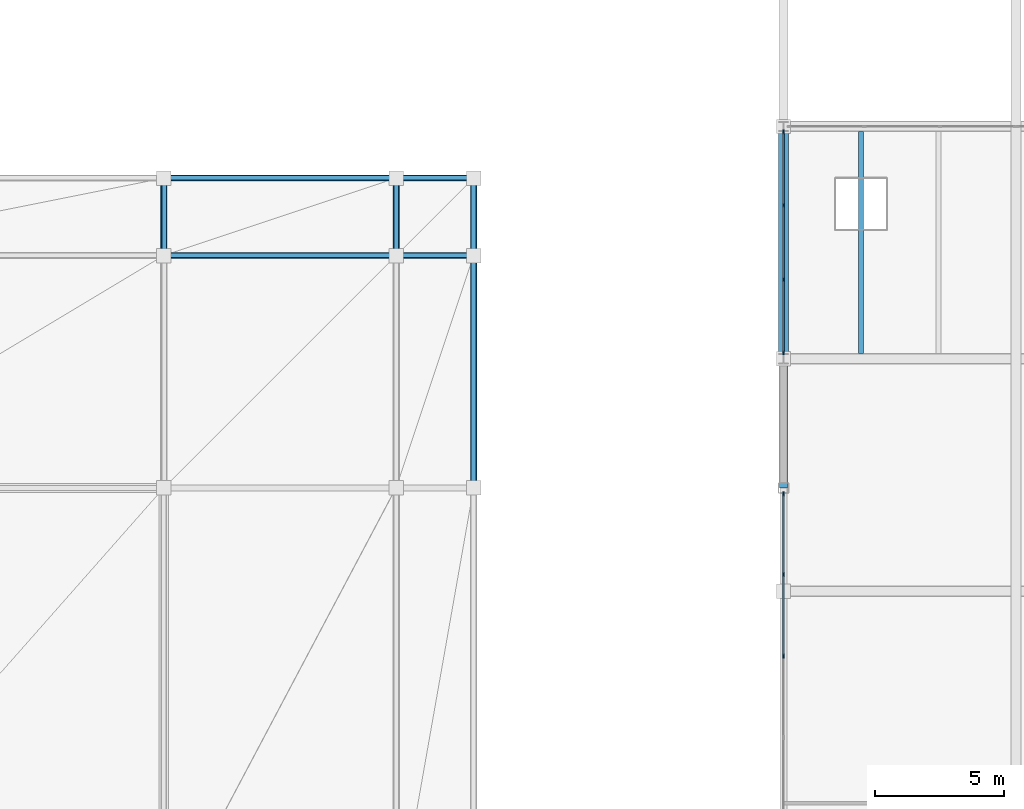
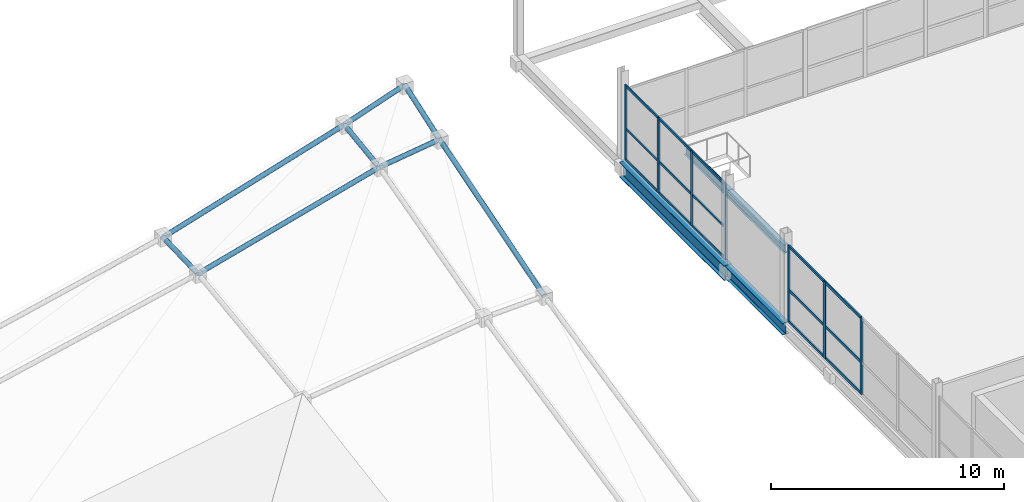
# One storey, part 29 of 69: 30 members, 3 beams, 2 elements without a shape of their own.
"""IFC4 building model written with IfcOpenShell, lengths in metres."""

import ifcopenshell
import ifcopenshell.guid

model = None  # the IFC model being written
_history = None  # IfcOwnerHistory: only IFC2X3 demands one
_inside = {}  # id of a spatial element -> (the spatial element, [elements in it])
_under = {}  # id of a project, library or spatial element -> (it, [spatial elements below it])
_declared = {}  # id of a project -> (the project, [libraries it declares])
_typed = {}  # id of a type object -> (the type object, [elements of that type])
_made_of = {}  # id of a material, layer set ... -> (it, [elements and type objects made of it])


def new_model(schema):
    """Start an empty IFC model of exactly this schema.

    Asked for "IFC4X3", IfcOpenShell would pick the latest addendum, in which some entities
    have other attributes; the version numbers below select the first issue.
    IFC2X3 requires an IfcOwnerHistory on every rooted entity: one is made here for all.
    """
    global model, _history
    if schema == "IFC4X3":
        model = ifcopenshell.file(schema_version=(4, 3, 0, 0))
    else:
        model = ifcopenshell.file(schema=schema)
    _inside.clear()
    _under.clear()
    _declared.clear()
    _typed.clear()
    _made_of.clear()
    _history = None
    if model.schema == "IFC2X3":
        org = make("IfcOrganization", Name="unknown")
        user = make(
            "IfcPersonAndOrganization",
            ThePerson=make("IfcPerson", FamilyName="unknown"),
            TheOrganization=org,
        )
        app = make(
            "IfcApplication",
            ApplicationDeveloper=org,
            Version="unknown",
            ApplicationFullName="unknown",
            ApplicationIdentifier="unknown",
        )
        _history = make(
            "IfcOwnerHistory",
            OwningUser=user,
            OwningApplication=app,
            ChangeAction="ADDED",
            CreationDate=0,
        )
    return model


def make(cls, **values):
    """One entity of the class cls with the attributes given. An attribute that is None is left unset."""
    return model.create_entity(
        cls, **{name: value for name, value in values.items() if value is not None}
    )


def rooted(cls, **values):
    """An entity with a GlobalId (a new one), such as an element, a storey or a relation."""
    return make(cls, GlobalId=ifcopenshell.guid.new(), OwnerHistory=_history, **values)


def si_unit(unit_type, name, prefix=None):
    """IfcSIUnit, for example si_unit("LENGTHUNIT", "METRE", prefix="MILLI")."""
    return make("IfcSIUnit", UnitType=unit_type, Prefix=prefix, Name=name)


def assignment(units):
    """IfcUnitAssignment: the units of a project."""
    return None if units is None else make("IfcUnitAssignment", Units=units)


def point(xyz):
    """IfcCartesianPoint."""
    return None if xyz is None else make("IfcCartesianPoint", Coordinates=xyz)


def direction(xyz):
    """IfcDirection."""
    return None if xyz is None else make("IfcDirection", DirectionRatios=xyz)


def frame(location, z_axis=None, x_axis=None):
    """IfcAxis2Placement3D, a coordinate frame: its origin and axes. An axis left out is left unset."""
    return make(
        "IfcAxis2Placement3D",
        Location=point(location),
        Axis=direction(z_axis),
        RefDirection=direction(x_axis),
    )


def frame_2d(location, x_axis=None):
    """IfcAxis2Placement2D, a coordinate frame in the plane: its origin and x axis."""
    return make(
        "IfcAxis2Placement2D", Location=point(location), RefDirection=direction(x_axis)
    )


def origin():
    """The frame at (0, 0, 0) with its axes left unset."""
    return frame((0.0, 0.0, 0.0))


def origin_2d():
    """The frame at (0, 0) in the plane with its x axis left unset."""
    return frame_2d((0.0, 0.0))


def place(relative_to, where):
    """IfcLocalPlacement: puts the frame where relative to a parent placement (None: the world)."""
    return make(
        "IfcLocalPlacement", PlacementRelTo=relative_to, RelativePlacement=where
    )


def context(
    kind, dimensions, precision=None, world=None, true_north=None, identifier=None
):
    """IfcGeometricRepresentationContext, for example the 3D "Model" context."""
    return make(
        "IfcGeometricRepresentationContext",
        ContextIdentifier=identifier,
        ContextType=kind,
        CoordinateSpaceDimension=dimensions,
        Precision=precision,
        WorldCoordinateSystem=world,
        TrueNorth=true_north,
    )


def subcontext(parent, identifier, kind, view, scale=None):
    """IfcGeometricRepresentationSubContext, for example "Body" below "Model"."""
    return make(
        "IfcGeometricRepresentationSubContext",
        ContextIdentifier=identifier,
        ContextType=kind,
        ParentContext=parent,
        TargetScale=scale,
        TargetView=view,
    )


def project(units=None, contexts=None):
    """IfcProject with its units and contexts."""
    return rooted(
        "IfcProject",
        Name="project",
        RepresentationContexts=contexts,
        UnitsInContext=assignment(units),
    )


def spatial(cls, under=None, at=None, **own):
    """A site, building, storey or space (cls), placed at a placement, below another one or the project."""
    s = rooted(cls, ObjectPlacement=at, **own)
    if under is not None:
        _under.setdefault(under.id(), (under, []))[1].append(s)
    return s


def profile(cls, at=None, kind="AREA", **sizes):
    """A parametric profile (cls). Its sizes go by their IFC names, for example OverallWidth=200.0."""
    return make(cls, ProfileType=kind, Position=at, **sizes)


def rectangle(**sizes):
    """IfcRectangleProfileDef."""
    return profile("IfcRectangleProfileDef", **sizes)


def hollow_circle(**sizes):
    """IfcCircleHollowProfileDef."""
    return profile("IfcCircleHollowProfileDef", **sizes)


def i_section(**sizes):
    """IfcIShapeProfileDef."""
    return profile("IfcIShapeProfileDef", **sizes)


def extrude(swept, where, along, depth):
    """IfcExtrudedAreaSolid: the profile swept, set in the frame where, extruded along a direction by depth."""
    return make(
        "IfcExtrudedAreaSolid",
        SweptArea=swept,
        Position=where,
        ExtrudedDirection=direction(along),
        Depth=depth,
    )


def shape(context_of_items, identifier, shape_type, items):
    """IfcShapeRepresentation: the items that make up one representation, for example the "Body"."""
    return make(
        "IfcShapeRepresentation",
        ContextOfItems=context_of_items,
        RepresentationIdentifier=identifier,
        RepresentationType=shape_type,
        Items=items,
    )


def material(Name=None, Category=None):
    """IfcMaterial."""
    return make("IfcMaterial", Name=Name, Category=Category)


def layer(
    of_material, thickness, ventilated=None, Name=None, Category=None, Priority=None
):
    """IfcMaterialLayer: one layer of a wall or slab, of a material (None: an air gap)."""
    return make(
        "IfcMaterialLayer",
        Material=of_material,
        LayerThickness=thickness,
        IsVentilated=ventilated,
        Name=Name,
        Category=Category,
        Priority=Priority,
    )


def layer_set(layers, Name=None):
    """IfcMaterialLayerSet."""
    return make("IfcMaterialLayerSet", MaterialLayers=layers, LayerSetName=Name)


def material_profile(
    of_material, cross_section, Name=None, Category=None, Priority=None
):
    """IfcMaterialProfile: a cross section and its material."""
    return make(
        "IfcMaterialProfile",
        Name=Name,
        Material=of_material,
        Profile=cross_section,
        Priority=Priority,
        Category=Category,
    )


def profile_set(profiles, Name=None, composite=None):
    """IfcMaterialProfileSet."""
    return make(
        "IfcMaterialProfileSet",
        Name=Name,
        MaterialProfiles=profiles,
        CompositeProfile=composite,
    )


def made_of(thing, what):
    """Note that an element or type object is made of a material, layer set ...; save() writes the relation."""
    if what is not None:
        _made_of.setdefault(what.id(), (what, []))[1].append(thing)
    return thing


def type_object(cls, material=None, **own):
    """A type object (cls), such as IfcWallType, which elements share."""
    return made_of(rooted(cls, **own), material)


def element(
    cls,
    number,
    at=None,
    inside=None,
    cuts=None,
    type_object=None,
    material=None,
    context=None,
    identifier="Body",
    shape_type=None,
    held_by="IfcProductDefinitionShape",
    body=None,
    shapes=None,
    **own,
):
    """One element of the class cls, such as IfcWall. Its Tag is "e" and its number.

    at: its placement. inside: the storey or other place that contains it. cuts: it is an
    opening in that element (IfcRelVoidsElement). A single representation is given by context,
    identifier, shape_type and body (its items); several are given by shapes. held_by: the class
    of the entity that holds the representations. save() writes the other relations.
    """
    e = rooted(cls, Tag="e%d" % number, ObjectPlacement=at, **own)
    if body is not None:
        shapes = [shape(context, identifier, shape_type, body)]
    if shapes is not None:
        e.Representation = make(held_by, Representations=shapes)
    if inside is not None:
        _inside.setdefault(inside.id(), (inside, []))[1].append(e)
    if cuts is not None:
        rooted(
            "IfcRelVoidsElement", RelatingBuildingElement=cuts, RelatedOpeningElement=e
        )
    if type_object is not None:
        _typed.setdefault(type_object.id(), (type_object, []))[1].append(e)
    return made_of(e, material)


def aggregate(whole, parts):
    """IfcRelAggregates: a whole, such as a stair, and the parts it consists of."""
    return rooted("IfcRelAggregates", RelatingObject=whole, RelatedObjects=parts)


def save(model, path):
    """Write the relations noted so far, then the file.

    IfcRelAggregates (storeys below a building ...), IfcRelContainedInSpatialStructure (elements
    in a storey), IfcRelDefinesByType, IfcRelAssociatesMaterial and IfcRelDeclares: one each for
    every whole, place, type object, material and project.
    """
    for whole, parts in _under.values():
        aggregate(whole, parts)
    for where, things in _inside.values():
        rooted(
            "IfcRelContainedInSpatialStructure",
            RelatedElements=things,
            RelatingStructure=where,
        )
    for kind, things in _typed.values():
        rooted("IfcRelDefinesByType", RelatedObjects=things, RelatingType=kind)
    for what, things in _made_of.values():
        rooted("IfcRelAssociatesMaterial", RelatedObjects=things, RelatingMaterial=what)
    for by, libraries in _declared.values():
        rooted("IfcRelDeclares", RelatingContext=by, RelatedDefinitions=libraries)
    model.write(path)


model = new_model("IFC4")

# Units and contexts
model_context = context("Model", 3, precision=1e-05, world=origin(), true_north=direction((0.0, 1.0)))
body_context = subcontext(model_context, "Body", "Model", "MODEL_VIEW")
ifc_project = project(units=[si_unit("LENGTHUNIT", "METRE"), si_unit("AREAUNIT", "SQUARE_METRE"), si_unit("VOLUMEUNIT", "CUBIC_METRE"), si_unit("PLANEANGLEUNIT", "RADIAN"), si_unit("MASSUNIT", "GRAM", prefix="KILO")], contexts=[model_context])

# Site, building, storey
site_placement = place(None, origin())
site = spatial("IfcSite", under=ifc_project, at=site_placement, CompositionType="ELEMENT")
building_placement = place(site_placement, origin())
building = spatial("IfcBuilding", under=site, at=building_placement, Name="Qamarlyn Nura Convention Centre", CompositionType="ELEMENT")
storey_placement = place(building_placement, frame((0.0, 0.0, 15.60009765625)))
storey = spatial("IfcBuildingStorey", under=building, at=storey_placement, Name="L03", CompositionType="ELEMENT", Elevation=15.60009765625)

# Beams
ifc_material_1 = material(Name="Steel ASTM A992", Category="steel")
ifc_material_profile_1 = material_profile(ifc_material_1, i_section(OverallWidth=0.323974609375, OverallDepth=0.611083984375, WebThickness=0.0126953125, FlangeThickness=0.01904296875, FilletRadius=0.01611328125, at=origin_2d()), Name="W610X155")
ifc_profile_set_1 = profile_set([ifc_material_profile_1], Name="Steel ASTM A992")
beam_type_1 = type_object("IfcBeamType", Name="BM-GIRD-610", PredefinedType="BEAM", material=ifc_profile_set_1)
beam_1_placement = place(storey_placement, frame((144.0, 103.0, -0.505615234375), z_axis=(0.0, 1.0, 0.0), x_axis=(-1.0, 0.0, 0.0)))
element("IfcBeam", 1, at=beam_1_placement, inside=storey, type_object=beam_type_1, Name="L03 girder 12 M-N", PredefinedType="BEAM", context=body_context, shape_type="SweptSolid", body=[
    extrude(i_section(OverallWidth=0.323974609375, OverallDepth=0.611083984375, WebThickness=0.0126953125, FlangeThickness=0.01904296875, FilletRadius=0.01611328125, at=origin_2d()), origin(), (0.0, 0.0, 1.0), 5.0),
])
ifc_material_profile_2 = material_profile(ifc_material_1, i_section(OverallWidth=0.381103515625, OverallDepth=0.77294921875, WebThickness=0.0166015625, FlangeThickness=0.027587890625, FilletRadius=0.02001953125, at=origin_2d()), Name="W760X257")
ifc_profile_set_2 = profile_set([ifc_material_profile_2], Name="Steel ASTM A992")
beam_type_2 = type_object("IfcBeamType", Name="BM-GIRD-760", PredefinedType="BEAM", material=ifc_profile_set_2)
beam_2_placement = place(storey_placement, frame((144.0, 108.0, -0.586669921875), z_axis=(0.0, 1.0, 0.0), x_axis=(-1.0, 0.0, 0.0)))
element("IfcBeam", 2, at=beam_2_placement, inside=storey, type_object=beam_type_2, Name="L03 girder 12 N-P", PredefinedType="BEAM", context=body_context, shape_type="SweptSolid", body=[
    extrude(i_section(OverallWidth=0.381103515625, OverallDepth=0.77294921875, WebThickness=0.0166015625, FlangeThickness=0.027587890625, FilletRadius=0.02001953125, at=origin_2d()), origin(), (0.0, 0.0, 1.0), 9.0),
])
ifc_material_profile_3 = material_profile(ifc_material_1, i_section(OverallWidth=0.18994140625, OverallDepth=0.45703125, WebThickness=0.009033203125, FlangeThickness=0.014404296875, FilletRadius=0.012939453125, at=origin_2d()), Name="W460X74")
ifc_profile_set_3 = profile_set([ifc_material_profile_3], Name="Steel ASTM A992")
beam_type_3 = type_object("IfcBeamType", Name="BM-JOIST-460", PredefinedType="JOIST", material=ifc_profile_set_3)
beam_3_placement = place(storey_placement, frame((147.0, 108.199951171875, -0.528564453125), z_axis=(0.0, 1.0, 0.0), x_axis=(-1.0, 0.0, 0.0)))
element("IfcBeam", 3, at=beam_3_placement, inside=storey, type_object=beam_type_3, Name="L03 secondary joist 12-13/N-P-02", PredefinedType="JOIST", context=body_context, shape_type="SweptSolid", body=[
    extrude(i_section(OverallWidth=0.18994140625, OverallDepth=0.45703125, WebThickness=0.009033203125, FlangeThickness=0.014404296875, FilletRadius=0.012939453125, at=origin_2d()), origin(), (0.0, 0.0, 1.0), 8.60009765625),
])

# Curtain wall, members
ifc_material_2 = material(Name="Double-silver low-E insulated glass", Category="glass")
ifc_layer_1 = layer(ifc_material_2, 0.179931640625, Name="CW-UNIT-129")
ifc_layer_set_1 = layer_set([ifc_layer_1], Name="Double-silver low-E insulated glass")
curtain_wall_type_1 = type_object("IfcCurtainWallType", Name="CW-UNIT-129", PredefinedType="NOTDEFINED", material=ifc_layer_set_1)
curtain_wall_1_placement = place(storey_placement, origin())
curtain_wall_1 = element("IfcCurtainWall", 4, at=curtain_wall_1_placement, inside=storey, type_object=curtain_wall_type_1, Name="L03 unitised curtain wall PLW-108-1", PredefinedType="NOTDEFINED")
ifc_material_3 = material(Name="Champagne-anodised marine aluminium", Category="aluminium")
ifc_material_profile_4 = material_profile(ifc_material_3, rectangle(XDim=0.06494140625, YDim=0.159912109375, at=origin_2d()), Name="ALU MULLION 65x160")
ifc_profile_set_4 = profile_set([ifc_material_profile_4], Name="Champagne-anodised marine aluminium")
member_type_1 = type_object("IfcMemberType", Name="CWM-160", PredefinedType="MULLION", material=ifc_profile_set_4)
member_1_placement = place(storey_placement, frame((144.0, 108.22900390625, 0.0), z_axis=(0.0, 0.0, 1.0), x_axis=(-1.0, 0.0, 0.0)))
member_1 = element("IfcMember", 5, at=member_1_placement, type_object=member_type_1, Name="CW129 mullion 1", PredefinedType="MULLION", context=body_context, shape_type="SweptSolid", body=[
    extrude(rectangle(XDim=0.06494140625, YDim=0.159912109375, at=origin_2d()), origin(), (0.0, 0.0, 1.0), 3.929931640625),
])
member_2_placement = place(storey_placement, frame((144.0, 111.069091796875, 0.0), z_axis=(0.0, 0.0, 1.0), x_axis=(-1.0, 0.0, 0.0)))
member_2 = element("IfcMember", 6, at=member_2_placement, type_object=member_type_1, Name="CW129 mullion 2", PredefinedType="MULLION", context=body_context, shape_type="SweptSolid", body=[
    extrude(rectangle(XDim=0.06494140625, YDim=0.159912109375, at=origin_2d()), origin(), (0.0, 0.0, 1.0), 3.929931640625),
])
member_3_placement = place(storey_placement, frame((144.0, 113.94140625, 0.0), z_axis=(0.0, 0.0, 1.0), x_axis=(-1.0, 0.0, 0.0)))
member_3 = element("IfcMember", 7, at=member_3_placement, type_object=member_type_1, Name="CW129 mullion 3", PredefinedType="MULLION", context=body_context, shape_type="SweptSolid", body=[
    extrude(rectangle(XDim=0.06494140625, YDim=0.159912109375, at=origin_2d()), origin(), (0.0, 0.0, 1.0), 3.929931640625),
])
member_4_placement = place(storey_placement, frame((144.0, 116.781494140625, 0.0), z_axis=(0.0, 0.0, 1.0), x_axis=(-1.0, 0.0, 0.0)))
member_4 = element("IfcMember", 8, at=member_4_placement, type_object=member_type_1, Name="CW129 mullion 4", PredefinedType="MULLION", context=body_context, shape_type="SweptSolid", body=[
    extrude(rectangle(XDim=0.06494140625, YDim=0.159912109375, at=origin_2d()), origin(), (0.0, 0.0, 1.0), 3.929931640625),
])

ifc_layer_2 = layer(ifc_material_2, 0.179931640625, Name="CW-UNIT-128")
ifc_layer_set_2 = layer_set([ifc_layer_2], Name="Double-silver low-E insulated glass")
curtain_wall_type_2 = type_object("IfcCurtainWallType", Name="CW-UNIT-128", PredefinedType="NOTDEFINED", material=ifc_layer_set_2)
curtain_wall_2_placement = place(storey_placement, origin())
curtain_wall_2 = element("IfcCurtainWall", 9, at=curtain_wall_2_placement, inside=storey, type_object=curtain_wall_type_2, Name="L03 unitised curtain wall PLW-90-1", PredefinedType="NOTDEFINED")
ifc_material_profile_5 = material_profile(ifc_material_3, rectangle(XDim=0.070068359375, YDim=0.179931640625, at=origin_2d()), Name="ALU MULLION 70x180")
ifc_profile_set_5 = profile_set([ifc_material_profile_5], Name="Champagne-anodised marine aluminium")
member_type_2 = type_object("IfcMemberType", Name="CWM-180", PredefinedType="MULLION", material=ifc_profile_set_5)
member_5_placement = place(storey_placement, frame((144.0, 96.487548828125, 0.0), z_axis=(0.0, 0.0, 1.0), x_axis=(-1.0, 0.0, 0.0)))
member_5 = element("IfcMember", 10, at=member_5_placement, type_object=member_type_2, Name="CW128 mullion 3", PredefinedType="MULLION", context=body_context, shape_type="SweptSolid", body=[
    extrude(rectangle(XDim=0.070068359375, YDim=0.179931640625, at=origin_2d()), origin(), (0.0, 0.0, 1.0), 4.0087890625),
])
member_6_placement = place(storey_placement, frame((144.0, 99.643798828125, 0.0), z_axis=(0.0, 0.0, 1.0), x_axis=(-1.0, 0.0, 0.0)))
member_6 = element("IfcMember", 11, at=member_6_placement, type_object=member_type_2, Name="CW128 mullion 4", PredefinedType="MULLION", context=body_context, shape_type="SweptSolid", body=[
    extrude(rectangle(XDim=0.070068359375, YDim=0.179931640625, at=origin_2d()), origin(), (0.0, 0.0, 1.0), 4.0087890625),
])
member_7_placement = place(storey_placement, frame((144.0, 102.764892578125, 0.0), z_axis=(0.0, 0.0, 1.0), x_axis=(-1.0, 0.0, 0.0)))
member_7 = element("IfcMember", 12, at=member_7_placement, type_object=member_type_2, Name="CW128 mullion 5", PredefinedType="MULLION", context=body_context, shape_type="SweptSolid", body=[
    extrude(rectangle(XDim=0.070068359375, YDim=0.179931640625, at=origin_2d()), origin(), (0.0, 0.0, 1.0), 4.0087890625),
])

# Member
ifc_material_profile_6 = material_profile(ifc_material_3, rectangle(XDim=0.06494140625, YDim=0.1201171875, at=origin_2d()), Name="ALU TRANSOM 65x120")
ifc_profile_set_6 = profile_set([ifc_material_profile_6], Name="Champagne-anodised marine aluminium")
member_type_3 = type_object("IfcMemberType", Name="CWT-120", PredefinedType="USERDEFINED", material=ifc_profile_set_6)
member_8_placement = place(storey_placement, frame((144.0, 108.261474609375, 0.032470703125), z_axis=(0.0, 1.0, 0.0), x_axis=(-1.0, 0.0, 0.0)))
member_8 = element("IfcMember", 13, at=member_8_placement, type_object=member_type_3, Name="CW129 transom 1.1", ObjectType="TRANSOM", PredefinedType="USERDEFINED", context=body_context, shape_type="SweptSolid", body=[
    extrude(rectangle(XDim=0.06494140625, YDim=0.1201171875, at=origin_2d()), origin(), (0.0, 0.0, 1.0), 2.775146484375),
])

member_9_placement = place(storey_placement, frame((144.0, 108.261474609375, 1.65087890625), z_axis=(0.0, 1.0, 0.0), x_axis=(-1.0, 0.0, 0.0)))
member_9 = element("IfcMember", 14, at=member_9_placement, type_object=member_type_3, Name="CW129 transom 1.2", ObjectType="TRANSOM", PredefinedType="USERDEFINED", context=body_context, shape_type="SweptSolid", body=[
    extrude(rectangle(XDim=0.06494140625, YDim=0.1201171875, at=origin_2d()), origin(), (0.0, 0.0, 1.0), 2.775146484375),
])

member_10_placement = place(storey_placement, frame((144.0, 108.261474609375, 3.8974609375), z_axis=(0.0, 1.0, 0.0), x_axis=(-1.0, 0.0, 0.0)))
member_10 = element("IfcMember", 15, at=member_10_placement, type_object=member_type_3, Name="CW129 transom 1.3", ObjectType="TRANSOM", PredefinedType="USERDEFINED", context=body_context, shape_type="SweptSolid", body=[
    extrude(rectangle(XDim=0.06494140625, YDim=0.1201171875, at=origin_2d()), origin(), (0.0, 0.0, 1.0), 2.775146484375),
])

member_11_placement = place(storey_placement, frame((144.0, 111.1015625, 0.032470703125), z_axis=(0.0, 1.0, 0.0), x_axis=(-1.0, 0.0, 0.0)))
member_11 = element("IfcMember", 16, at=member_11_placement, type_object=member_type_3, Name="CW129 transom 2.1", ObjectType="TRANSOM", PredefinedType="USERDEFINED", context=body_context, shape_type="SweptSolid", body=[
    extrude(rectangle(XDim=0.06494140625, YDim=0.1201171875, at=origin_2d()), origin(), (0.0, 0.0, 1.0), 2.807373046875),
])

member_12_placement = place(storey_placement, frame((144.0, 111.1015625, 1.65087890625), z_axis=(0.0, 1.0, 0.0), x_axis=(-1.0, 0.0, 0.0)))
member_12 = element("IfcMember", 17, at=member_12_placement, type_object=member_type_3, Name="CW129 transom 2.2", ObjectType="TRANSOM", PredefinedType="USERDEFINED", context=body_context, shape_type="SweptSolid", body=[
    extrude(rectangle(XDim=0.06494140625, YDim=0.1201171875, at=origin_2d()), origin(), (0.0, 0.0, 1.0), 2.807373046875),
])

member_13_placement = place(storey_placement, frame((144.0, 111.1015625, 3.8974609375), z_axis=(0.0, 1.0, 0.0), x_axis=(-1.0, 0.0, 0.0)))
member_13 = element("IfcMember", 18, at=member_13_placement, type_object=member_type_3, Name="CW129 transom 2.3", ObjectType="TRANSOM", PredefinedType="USERDEFINED", context=body_context, shape_type="SweptSolid", body=[
    extrude(rectangle(XDim=0.06494140625, YDim=0.1201171875, at=origin_2d()), origin(), (0.0, 0.0, 1.0), 2.807373046875),
])

member_14_placement = place(storey_placement, frame((144.0, 113.97412109375, 0.032470703125), z_axis=(0.0, 1.0, 0.0), x_axis=(-1.0, 0.0, 0.0)))
member_14 = element("IfcMember", 19, at=member_14_placement, type_object=member_type_3, Name="CW129 transom 3.1", ObjectType="TRANSOM", PredefinedType="USERDEFINED", context=body_context, shape_type="SweptSolid", body=[
    extrude(rectangle(XDim=0.06494140625, YDim=0.1201171875, at=origin_2d()), origin(), (0.0, 0.0, 1.0), 2.77490234375),
])

member_15_placement = place(storey_placement, frame((144.0, 113.97412109375, 1.65087890625), z_axis=(0.0, 1.0, 0.0), x_axis=(-1.0, 0.0, 0.0)))
member_15 = element("IfcMember", 20, at=member_15_placement, type_object=member_type_3, Name="CW129 transom 3.2", ObjectType="TRANSOM", PredefinedType="USERDEFINED", context=body_context, shape_type="SweptSolid", body=[
    extrude(rectangle(XDim=0.06494140625, YDim=0.1201171875, at=origin_2d()), origin(), (0.0, 0.0, 1.0), 2.77490234375),
])

member_16_placement = place(storey_placement, frame((144.0, 113.97412109375, 3.8974609375), z_axis=(0.0, 1.0, 0.0), x_axis=(-1.0, 0.0, 0.0)))
member_16 = element("IfcMember", 21, at=member_16_placement, type_object=member_type_3, Name="CW129 transom 3.3", ObjectType="TRANSOM", PredefinedType="USERDEFINED", context=body_context, shape_type="SweptSolid", body=[
    extrude(rectangle(XDim=0.06494140625, YDim=0.1201171875, at=origin_2d()), origin(), (0.0, 0.0, 1.0), 2.77490234375),
])

aggregate(curtain_wall_1, [member_1, member_2, member_3, member_4, member_8, member_9, member_10, member_11, member_12, member_13, member_14, member_15, member_16])

ifc_material_profile_7 = material_profile(ifc_material_3, rectangle(XDim=0.070068359375, YDim=0.139892578125, at=origin_2d()), Name="ALU TRANSOM 70x140")
ifc_profile_set_7 = profile_set([ifc_material_profile_7], Name="Champagne-anodised marine aluminium")
member_type_4 = type_object("IfcMemberType", Name="CWT-140", PredefinedType="USERDEFINED", material=ifc_profile_set_7)
member_17_placement = place(storey_placement, frame((144.0, 96.5224609375, 0.034912109375), z_axis=(0.0, 1.0, 0.0), x_axis=(-1.0, 0.0, 0.0)))
member_17 = element("IfcMember", 22, at=member_17_placement, type_object=member_type_4, Name="CW128 transom 3.1", ObjectType="TRANSOM", PredefinedType="USERDEFINED", context=body_context, shape_type="SweptSolid", body=[
    extrude(rectangle(XDim=0.070068359375, YDim=0.139892578125, at=origin_2d()), origin(), (0.0, 0.0, 1.0), 3.086181640625),
])

member_18_placement = place(storey_placement, frame((144.0, 96.5224609375, 1.683837890625), z_axis=(0.0, 1.0, 0.0), x_axis=(-1.0, 0.0, 0.0)))
member_18 = element("IfcMember", 23, at=member_18_placement, type_object=member_type_4, Name="CW128 transom 3.2", ObjectType="TRANSOM", PredefinedType="USERDEFINED", context=body_context, shape_type="SweptSolid", body=[
    extrude(rectangle(XDim=0.070068359375, YDim=0.139892578125, at=origin_2d()), origin(), (0.0, 0.0, 1.0), 3.086181640625),
])

member_19_placement = place(storey_placement, frame((144.0, 96.5224609375, 3.973876953125), z_axis=(0.0, 1.0, 0.0), x_axis=(-1.0, 0.0, 0.0)))
member_19 = element("IfcMember", 24, at=member_19_placement, type_object=member_type_4, Name="CW128 transom 3.3", ObjectType="TRANSOM", PredefinedType="USERDEFINED", context=body_context, shape_type="SweptSolid", body=[
    extrude(rectangle(XDim=0.070068359375, YDim=0.139892578125, at=origin_2d()), origin(), (0.0, 0.0, 1.0), 3.086181640625),
])

member_20_placement = place(storey_placement, frame((144.0, 99.6787109375, 0.034912109375), z_axis=(0.0, 1.0, 0.0), x_axis=(-1.0, 0.0, 0.0)))
member_20 = element("IfcMember", 25, at=member_20_placement, type_object=member_type_4, Name="CW128 transom 4.1", ObjectType="TRANSOM", PredefinedType="USERDEFINED", context=body_context, shape_type="SweptSolid", body=[
    extrude(rectangle(XDim=0.070068359375, YDim=0.139892578125, at=origin_2d()), origin(), (0.0, 0.0, 1.0), 3.05126953125),
])

member_21_placement = place(storey_placement, frame((144.0, 99.6787109375, 1.683837890625), z_axis=(0.0, 1.0, 0.0), x_axis=(-1.0, 0.0, 0.0)))
member_21 = element("IfcMember", 26, at=member_21_placement, type_object=member_type_4, Name="CW128 transom 4.2", ObjectType="TRANSOM", PredefinedType="USERDEFINED", context=body_context, shape_type="SweptSolid", body=[
    extrude(rectangle(XDim=0.070068359375, YDim=0.139892578125, at=origin_2d()), origin(), (0.0, 0.0, 1.0), 3.05126953125),
])

member_22_placement = place(storey_placement, frame((144.0, 99.6787109375, 3.973876953125), z_axis=(0.0, 1.0, 0.0), x_axis=(-1.0, 0.0, 0.0)))
member_22 = element("IfcMember", 27, at=member_22_placement, type_object=member_type_4, Name="CW128 transom 4.3", ObjectType="TRANSOM", PredefinedType="USERDEFINED", context=body_context, shape_type="SweptSolid", body=[
    extrude(rectangle(XDim=0.070068359375, YDim=0.139892578125, at=origin_2d()), origin(), (0.0, 0.0, 1.0), 3.05126953125),
])

aggregate(curtain_wall_2, [member_5, member_6, member_7, member_17, member_18, member_19, member_20, member_21, member_22])

# Members
ifc_material_4 = material(Name="Pearl-white PVDF steel ASTM A500 Grade C", Category="steel")
ifc_material_profile_8 = material_profile(ifc_material_4, hollow_circle(Radius=0.122314453125, WallThickness=0.010009765625, at=origin_2d()), Name="CHS244.5X10")
ifc_profile_set_8 = profile_set([ifc_material_profile_8], Name="Pearl-white PVDF steel ASTM A500 Grade C")
member_type_5 = type_object("IfcMemberType", Name="SF-TC-EAVE", PredefinedType="CHORD", material=ifc_profile_set_8)
member_23_placement = place(storey_placement, frame((120.0, 112.0, 5.3056640625), z_axis=(0.965021310393, 0.0, 0.262171452463), x_axis=(0.0, 1.0, 0.0)))
element("IfcMember", 28, at=member_23_placement, inside=storey, type_object=member_type_5, Name="ROOF TRUSS space frame top chord X10-8", PredefinedType="CHORD", context=body_context, shape_type="SweptSolid", body=[
    extrude(hollow_circle(Radius=0.122314453125, WallThickness=0.010009765625, at=origin_2d()), origin(), (0.0, 0.0, 1.0), 9.326171875),
])
member_24_placement = place(storey_placement, frame((129.0, 112.0, 7.750732421875), z_axis=(0.990696239711, 0.0, 0.136091736054), x_axis=(0.0, 1.0, 0.0)))
element("IfcMember", 29, at=member_24_placement, inside=storey, type_object=member_type_5, Name="ROOF TRUSS space frame top chord X11-8", PredefinedType="CHORD", context=body_context, shape_type="SweptSolid", body=[
    extrude(hollow_circle(Radius=0.122314453125, WallThickness=0.010009765625, at=origin_2d()), origin(), (0.0, 0.0, 1.0), 3.028076171875),
])
member_25_placement = place(storey_placement, frame((120.0, 115.0, 5.4072265625), z_axis=(0.956184693556, 0.0, 0.29276412316), x_axis=(0.0, 1.0, 0.0)))
element("IfcMember", 30, at=member_25_placement, inside=storey, type_object=member_type_5, Name="ROOF TRUSS space frame top chord X10-9", PredefinedType="CHORD", context=body_context, shape_type="SweptSolid", body=[
    extrude(hollow_circle(Radius=0.122314453125, WallThickness=0.010009765625, at=origin_2d()), origin(), (0.0, 0.0, 1.0), 9.412353515625),
])
member_26_placement = place(storey_placement, frame((129.0, 115.0, 8.162841796875), z_axis=(0.945117675051, 0.0, 0.326730133758), x_axis=(0.0, 1.0, 0.0)))
element("IfcMember", 31, at=member_26_placement, inside=storey, type_object=member_type_5, Name="ROOF TRUSS space frame top chord X11-9", PredefinedType="CHORD", context=body_context, shape_type="SweptSolid", body=[
    extrude(hollow_circle(Radius=0.122314453125, WallThickness=0.010009765625, at=origin_2d()), origin(), (0.0, 0.0, 1.0), 3.17431640625),
])
member_27_placement = place(storey_placement, frame((120.0, 112.0, 5.3056640625), z_axis=(0.0, 0.999427439813, 0.033834783119), x_axis=(-1.0, 0.0, 0.0)))
element("IfcMember", 32, at=member_27_placement, inside=storey, type_object=member_type_5, Name="ROOF TRUSS space frame top chord Y10-8", PredefinedType="CHORD", context=body_context, shape_type="SweptSolid", body=[
    extrude(hollow_circle(Radius=0.122314453125, WallThickness=0.010009765625, at=origin_2d()), origin(), (0.0, 0.0, 1.0), 3.001708984375),
])
member_28_placement = place(storey_placement, frame((129.0, 112.0, 7.750732421875), z_axis=(0.0, 0.990696239711, 0.136091736054), x_axis=(-1.0, 0.0, 0.0)))
element("IfcMember", 33, at=member_28_placement, inside=storey, type_object=member_type_5, Name="ROOF TRUSS space frame top chord Y11-8", PredefinedType="CHORD", context=body_context, shape_type="SweptSolid", body=[
    extrude(hollow_circle(Radius=0.122314453125, WallThickness=0.010009765625, at=origin_2d()), origin(), (0.0, 0.0, 1.0), 3.028076171875),
])
member_29_placement = place(storey_placement, frame((132.0, 103.0, 5.4072265625), z_axis=(0.0, 0.956184693556, 0.29276412316), x_axis=(-1.0, 0.0, 0.0)))
element("IfcMember", 34, at=member_29_placement, inside=storey, type_object=member_type_5, Name="ROOF TRUSS space frame top chord Y12-7", PredefinedType="CHORD", context=body_context, shape_type="SweptSolid", body=[
    extrude(hollow_circle(Radius=0.122314453125, WallThickness=0.010009765625, at=origin_2d()), origin(), (0.0, 0.0, 1.0), 9.412353515625),
])
member_30_placement = place(storey_placement, frame((132.0, 112.0, 8.162841796875), z_axis=(0.0, 0.945117675051, 0.326730133758), x_axis=(-1.0, 0.0, 0.0)))
element("IfcMember", 35, at=member_30_placement, inside=storey, type_object=member_type_5, Name="ROOF TRUSS space frame top chord Y12-8", PredefinedType="CHORD", context=body_context, shape_type="SweptSolid", body=[
    extrude(hollow_circle(Radius=0.122314453125, WallThickness=0.010009765625, at=origin_2d()), origin(), (0.0, 0.0, 1.0), 3.17431640625),
])

save(model, "model.ifc")
